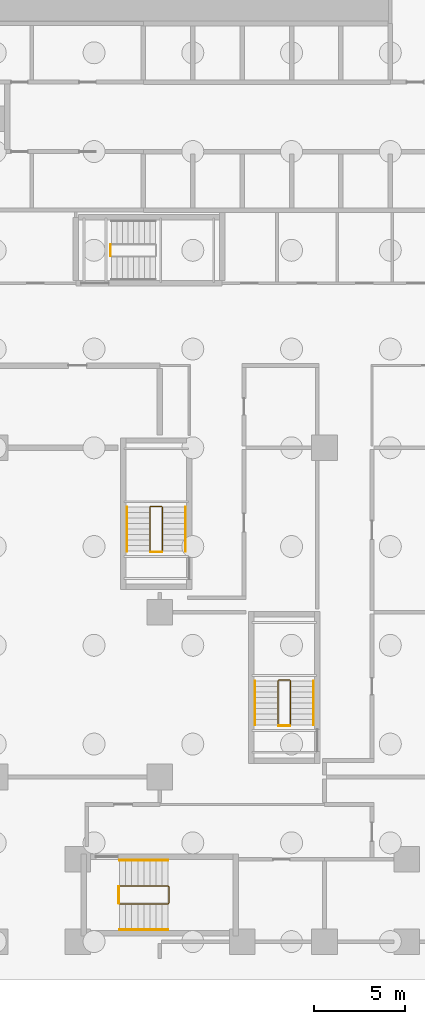
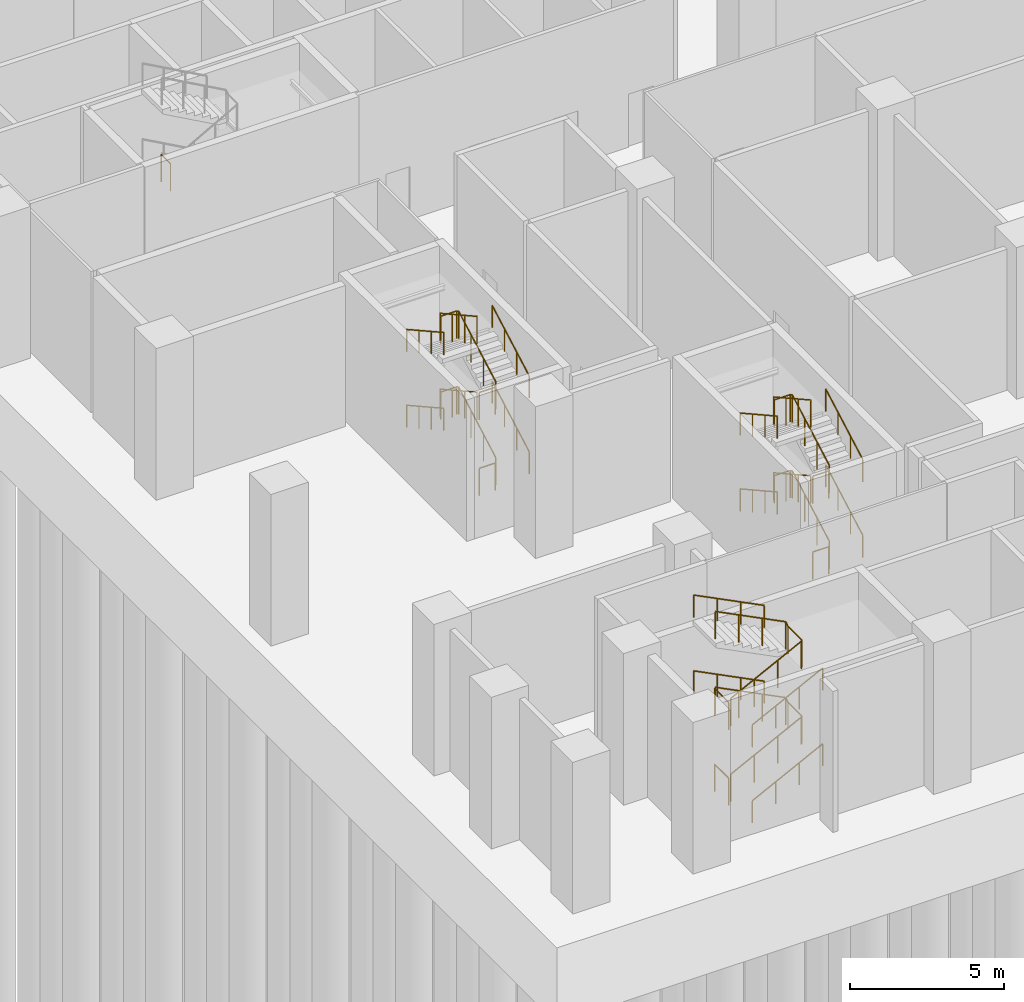
# One storey, part 10 of 12: 25 railings.
"""IFC4 building model written with IfcOpenShell, lengths in metres."""

from ifc_helpers import new_model, si_unit, direction, frame, origin, origin_2d, place, context, subcontext, project, spatial, circle, extrude, material, type_object, element, save


model = new_model("IFC4")

# Units and contexts
model_context = context("Model", 3, precision=1e-05, world=origin(), true_north=direction((0.0, 1.0)))
body_context = subcontext(model_context, "Body", "Model", "MODEL_VIEW")
ifc_project = project(units=[si_unit("LENGTHUNIT", "METRE"), si_unit("AREAUNIT", "SQUARE_METRE"), si_unit("VOLUMEUNIT", "CUBIC_METRE"), si_unit("PLANEANGLEUNIT", "RADIAN"), si_unit("MASSUNIT", "GRAM", prefix="KILO")], contexts=[model_context])

# Site, building, storey
site_placement = place(None, origin())
site = spatial("IfcSite", under=ifc_project, at=site_placement, CompositionType="ELEMENT")
building_placement = place(site_placement, origin())
building = spatial("IfcBuilding", under=site, at=building_placement, Name="Brondeck Convention Tower", CompositionType="ELEMENT")
storey_placement = place(building_placement, frame((0.0, 0.0, -6.0)))
storey = spatial("IfcBuildingStorey", under=building, at=storey_placement, Name="B1", CompositionType="ELEMENT", Elevation=-6.0)

# Railings
ifc_material = material(Name="Steel S355", Category="steel")
railing_type_1 = type_object("IfcRailingType", Name="Stair guard 1100", PredefinedType="GUARDRAIL", material=ifc_material)
railing_1_placement = place(storey_placement, frame((6.300048828125, 37.5, 3.0)))
element("IfcRailing", 1, at=railing_1_placement, inside=storey, type_object=railing_type_1, Name="B1 ST-1 stair guard 2", PredefinedType="GUARDRAIL", context=body_context, shape_type="SweptSolid", body=[
    extrude(circle(Radius=0.02392578125, at=origin_2d()), frame((0.0, 0.0, 1.076171875), z_axis=(0.0, 1.0, 0.0), x_axis=(-1.0, 0.0, 0.0)), (0.0, 0.0, 1.0), 0.60009765625),
    extrude(circle(Radius=0.02099609375, at=origin_2d()), origin(), (0.0, 0.0, 1.0), 1.052001953125),
    extrude(circle(Radius=0.02099609375, at=origin_2d()), frame((0.0, 0.60009765625, 0.0)), (0.0, 0.0, 1.0), 1.052001953125),
])
railing_2_placement = place(storey_placement, frame((9.14990234375, 21.35009765625, 0.166748046875)))
element("IfcRailing", 2, at=railing_2_placement, inside=storey, type_object=railing_type_1, Name="B1 ST-BE stair guard 1", PredefinedType="GUARDRAIL", context=body_context, shape_type="SweptSolid", body=[
    extrude(circle(Radius=0.02392578125, at=origin_2d()), frame((0.0, 0.0, 1.076171875), z_axis=(0.0, 0.874161470802, 0.485635380677), x_axis=(-1.0, 0.0, 0.0)), (0.0, 0.0, 1.0), 2.745361328125),
    extrude(circle(Radius=0.02392578125, at=origin_2d()), frame((0.0, 2.39990234375, 2.4091796875), z_axis=(-0.705375805398, 0.708833529934, 0.0), x_axis=(-0.708833529934, -0.705375805398, 0.0)), (0.0, 0.0, 1.0), 0.070556640625),
    extrude(circle(Radius=0.02392578125, at=origin_2d()), frame((-0.0498046875, 2.449951171875, 2.4091796875), z_axis=(-1.0, 0.0, 0.0), x_axis=(0.0, -1.0, 0.0)), (0.0, 0.0, 1.0), 0.60009765625),
    extrude(circle(Radius=0.02392578125, at=origin_2d()), frame((-0.64990234375, 2.449951171875, 2.4091796875), z_axis=(-0.27628659633, -0.27628659633, 0.920506074601), x_axis=(0.707106781187, -0.707106781187, 0.0)), (0.0, 0.0, 1.0), 0.18115234375),
    extrude(circle(Radius=0.02392578125, at=origin_2d()), frame((-0.699951171875, 2.39990234375, 2.576171875), z_axis=(0.0, -0.874161470802, 0.485635380677), x_axis=(1.0, 0.0, 0.0)), (0.0, 0.0, 1.0), 2.745361328125),
    extrude(circle(Radius=0.02099609375, at=origin_2d()), origin(), (0.0, 0.0, 1.0), 1.052001953125),
    extrude(circle(Radius=0.02099609375, at=origin_2d()), frame((0.0, 0.800048828125, 0.4443359375)), (0.0, 0.0, 1.0), 1.052001953125),
    extrude(circle(Radius=0.02099609375, at=origin_2d()), frame((0.0, 1.599853515625, 0.888916015625)), (0.0, 0.0, 1.0), 1.052001953125),
    extrude(circle(Radius=0.02099609375, at=origin_2d()), frame((0.0, 2.39990234375, 1.333251953125)), (0.0, 0.0, 1.0), 1.052001953125),
    extrude(circle(Radius=0.02099609375, at=origin_2d()), frame((-0.0498046875, 2.449951171875, 1.333251953125)), (0.0, 0.0, 1.0), 1.052001953125),
    extrude(circle(Radius=0.02099609375, at=origin_2d()), frame((-0.64990234375, 2.449951171875, 1.333251953125)), (0.0, 0.0, 1.0), 1.052001953125),
    extrude(circle(Radius=0.02099609375, at=origin_2d()), frame((-0.699951171875, 2.39990234375, 1.5)), (0.0, 0.0, 1.0), 1.052001953125),
    extrude(circle(Radius=0.02099609375, at=origin_2d()), frame((-0.699951171875, 1.599853515625, 1.9443359375)), (0.0, 0.0, 1.0), 1.052001953125),
    extrude(circle(Radius=0.02099609375, at=origin_2d()), frame((-0.699951171875, 0.800048828125, 2.388916015625)), (0.0, 0.0, 1.0), 1.052001953125),
    extrude(circle(Radius=0.02099609375, at=origin_2d()), frame((-0.699951171875, 0.0, 2.833251953125)), (0.0, 0.0, 1.0), 1.052001953125),
])
railing_3_placement = place(storey_placement, frame((9.10009765625, 21.300048828125, 3.0)))
element("IfcRailing", 3, at=railing_3_placement, inside=storey, type_object=railing_type_1, Name="B1 ST-BE stair guard 2", PredefinedType="GUARDRAIL", context=body_context, shape_type="SweptSolid", body=[
    extrude(circle(Radius=0.02392578125, at=origin_2d()), frame((0.0, 0.0, 1.076171875), z_axis=(-1.0, 0.0, 0.0), x_axis=(0.0, -1.0, 0.0)), (0.0, 0.0, 1.0), 0.60009765625),
    extrude(circle(Radius=0.02099609375, at=origin_2d()), origin(), (0.0, 0.0, 1.0), 1.052001953125),
    extrude(circle(Radius=0.02099609375, at=origin_2d()), frame((-0.60009765625, 0.0, 0.0)), (0.0, 0.0, 1.0), 1.052001953125),
])
railing_4_placement = place(storey_placement, frame((9.14990234375, 21.35009765625, 3.166748046875)))
element("IfcRailing", 4, at=railing_4_placement, inside=storey, type_object=railing_type_1, Name="B1 ST-BE stair guard 3", PredefinedType="GUARDRAIL", context=body_context, shape_type="SweptSolid", body=[
    extrude(circle(Radius=0.02392578125, at=origin_2d()), frame((0.0, 0.0, 1.076171875), z_axis=(0.0, 0.874161470802, 0.485635380677), x_axis=(-1.0, 0.0, 0.0)), (0.0, 0.0, 1.0), 2.745361328125),
    extrude(circle(Radius=0.02392578125, at=origin_2d()), frame((0.0, 2.39990234375, 2.4091796875), z_axis=(-0.705375805398, 0.708833529934, 0.0), x_axis=(-0.708833529934, -0.705375805398, 0.0)), (0.0, 0.0, 1.0), 0.070556640625),
    extrude(circle(Radius=0.02392578125, at=origin_2d()), frame((-0.0498046875, 2.449951171875, 2.4091796875), z_axis=(-1.0, 0.0, 0.0), x_axis=(0.0, -1.0, 0.0)), (0.0, 0.0, 1.0), 0.60009765625),
    extrude(circle(Radius=0.02392578125, at=origin_2d()), frame((-0.64990234375, 2.449951171875, 2.4091796875), z_axis=(-0.27628659633, -0.27628659633, 0.920506074601), x_axis=(0.707106781187, -0.707106781187, 0.0)), (0.0, 0.0, 1.0), 0.18115234375),
    extrude(circle(Radius=0.02392578125, at=origin_2d()), frame((-0.699951171875, 2.39990234375, 2.576171875), z_axis=(0.0, -0.874161470802, 0.485635380677), x_axis=(1.0, 0.0, 0.0)), (0.0, 0.0, 1.0), 2.745361328125),
    extrude(circle(Radius=0.02099609375, at=origin_2d()), origin(), (0.0, 0.0, 1.0), 1.052001953125),
    extrude(circle(Radius=0.02099609375, at=origin_2d()), frame((0.0, 0.800048828125, 0.4443359375)), (0.0, 0.0, 1.0), 1.052001953125),
    extrude(circle(Radius=0.02099609375, at=origin_2d()), frame((0.0, 1.599853515625, 0.888916015625)), (0.0, 0.0, 1.0), 1.052001953125),
    extrude(circle(Radius=0.02099609375, at=origin_2d()), frame((0.0, 2.39990234375, 1.333251953125)), (0.0, 0.0, 1.0), 1.052001953125),
    extrude(circle(Radius=0.02099609375, at=origin_2d()), frame((-0.0498046875, 2.449951171875, 1.333251953125)), (0.0, 0.0, 1.0), 1.052001953125),
    extrude(circle(Radius=0.02099609375, at=origin_2d()), frame((-0.64990234375, 2.449951171875, 1.333251953125)), (0.0, 0.0, 1.0), 1.052001953125),
    extrude(circle(Radius=0.02099609375, at=origin_2d()), frame((-0.699951171875, 2.39990234375, 1.5)), (0.0, 0.0, 1.0), 1.052001953125),
    extrude(circle(Radius=0.02099609375, at=origin_2d()), frame((-0.699951171875, 1.599853515625, 1.9443359375)), (0.0, 0.0, 1.0), 1.052001953125),
    extrude(circle(Radius=0.02099609375, at=origin_2d()), frame((-0.699951171875, 0.800048828125, 2.388916015625)), (0.0, 0.0, 1.0), 1.052001953125),
    extrude(circle(Radius=0.02099609375, at=origin_2d()), frame((-0.699951171875, 0.0, 2.833251953125)), (0.0, 0.0, 1.0), 1.052001953125),
])
railing_5_placement = place(storey_placement, frame((9.10009765625, 21.300048828125, 0.0)))
element("IfcRailing", 5, at=railing_5_placement, inside=storey, type_object=railing_type_1, Name="B1 ST-BE stair guard 4", PredefinedType="GUARDRAIL", context=body_context, shape_type="SweptSolid", body=[
    extrude(circle(Radius=0.02392578125, at=origin_2d()), frame((0.0, 0.0, 1.076171875), z_axis=(-1.0, 0.0, 0.0), x_axis=(0.0, -1.0, 0.0)), (0.0, 0.0, 1.0), 0.60009765625),
    extrude(circle(Radius=0.02099609375, at=origin_2d()), origin(), (0.0, 0.0, 1.0), 1.052001953125),
    extrude(circle(Radius=0.02099609375, at=origin_2d()), frame((-0.60009765625, 0.0, 0.0)), (0.0, 0.0, 1.0), 1.052001953125),
])
railing_6_placement = place(storey_placement, frame((16.14990234375, 11.85009765625, 0.166748046875)))
element("IfcRailing", 6, at=railing_6_placement, inside=storey, type_object=railing_type_1, Name="B1 ST-BF stair guard 1", PredefinedType="GUARDRAIL", context=body_context, shape_type="SweptSolid", body=[
    extrude(circle(Radius=0.02392578125, at=origin_2d()), frame((0.0, 0.0, 1.076171875), z_axis=(0.0, 0.874161470802, 0.485635380677), x_axis=(-1.0, 0.0, 0.0)), (0.0, 0.0, 1.0), 2.745361328125),
    extrude(circle(Radius=0.02392578125, at=origin_2d()), frame((0.0, 2.39990234375, 2.4091796875), z_axis=(-0.705375805398, 0.708833529934, 0.0), x_axis=(-0.708833529934, -0.705375805398, 0.0)), (0.0, 0.0, 1.0), 0.070556640625),
    extrude(circle(Radius=0.02392578125, at=origin_2d()), frame((-0.0498046875, 2.449951171875, 2.4091796875), z_axis=(-1.0, 0.0, 0.0), x_axis=(0.0, -1.0, 0.0)), (0.0, 0.0, 1.0), 0.60009765625),
    extrude(circle(Radius=0.02392578125, at=origin_2d()), frame((-0.64990234375, 2.449951171875, 2.4091796875), z_axis=(-0.27628659633, -0.27628659633, 0.920506074601), x_axis=(0.707106781187, -0.707106781187, 0.0)), (0.0, 0.0, 1.0), 0.18115234375),
    extrude(circle(Radius=0.02392578125, at=origin_2d()), frame((-0.699951171875, 2.39990234375, 2.576171875), z_axis=(0.0, -0.874161470802, 0.485635380677), x_axis=(1.0, 0.0, 0.0)), (0.0, 0.0, 1.0), 2.745361328125),
    extrude(circle(Radius=0.02099609375, at=origin_2d()), origin(), (0.0, 0.0, 1.0), 1.052001953125),
    extrude(circle(Radius=0.02099609375, at=origin_2d()), frame((0.0, 0.800048828125, 0.4443359375)), (0.0, 0.0, 1.0), 1.052001953125),
    extrude(circle(Radius=0.02099609375, at=origin_2d()), frame((0.0, 1.599853515625, 0.888916015625)), (0.0, 0.0, 1.0), 1.052001953125),
    extrude(circle(Radius=0.02099609375, at=origin_2d()), frame((0.0, 2.39990234375, 1.333251953125)), (0.0, 0.0, 1.0), 1.052001953125),
    extrude(circle(Radius=0.02099609375, at=origin_2d()), frame((-0.0498046875, 2.449951171875, 1.333251953125)), (0.0, 0.0, 1.0), 1.052001953125),
    extrude(circle(Radius=0.02099609375, at=origin_2d()), frame((-0.64990234375, 2.449951171875, 1.333251953125)), (0.0, 0.0, 1.0), 1.052001953125),
    extrude(circle(Radius=0.02099609375, at=origin_2d()), frame((-0.699951171875, 2.39990234375, 1.5)), (0.0, 0.0, 1.0), 1.052001953125),
    extrude(circle(Radius=0.02099609375, at=origin_2d()), frame((-0.699951171875, 1.599853515625, 1.9443359375)), (0.0, 0.0, 1.0), 1.052001953125),
    extrude(circle(Radius=0.02099609375, at=origin_2d()), frame((-0.699951171875, 0.800048828125, 2.388916015625)), (0.0, 0.0, 1.0), 1.052001953125),
    extrude(circle(Radius=0.02099609375, at=origin_2d()), frame((-0.699951171875, 0.0, 2.833251953125)), (0.0, 0.0, 1.0), 1.052001953125),
])
railing_7_placement = place(storey_placement, frame((16.10009765625, 11.800048828125, 3.0)))
element("IfcRailing", 7, at=railing_7_placement, inside=storey, type_object=railing_type_1, Name="B1 ST-BF stair guard 2", PredefinedType="GUARDRAIL", context=body_context, shape_type="SweptSolid", body=[
    extrude(circle(Radius=0.02392578125, at=origin_2d()), frame((0.0, 0.0, 1.076171875), z_axis=(-1.0, 0.0, 0.0), x_axis=(0.0, -1.0, 0.0)), (0.0, 0.0, 1.0), 0.60009765625),
    extrude(circle(Radius=0.02099609375, at=origin_2d()), origin(), (0.0, 0.0, 1.0), 1.052001953125),
    extrude(circle(Radius=0.02099609375, at=origin_2d()), frame((-0.60009765625, 0.0, 0.0)), (0.0, 0.0, 1.0), 1.052001953125),
])
railing_8_placement = place(storey_placement, frame((16.14990234375, 11.85009765625, 3.166748046875)))
element("IfcRailing", 8, at=railing_8_placement, inside=storey, type_object=railing_type_1, Name="B1 ST-BF stair guard 3", PredefinedType="GUARDRAIL", context=body_context, shape_type="SweptSolid", body=[
    extrude(circle(Radius=0.02392578125, at=origin_2d()), frame((0.0, 0.0, 1.076171875), z_axis=(0.0, 0.874161470802, 0.485635380677), x_axis=(-1.0, 0.0, 0.0)), (0.0, 0.0, 1.0), 2.745361328125),
    extrude(circle(Radius=0.02392578125, at=origin_2d()), frame((0.0, 2.39990234375, 2.4091796875), z_axis=(-0.705375805398, 0.708833529934, 0.0), x_axis=(-0.708833529934, -0.705375805398, 0.0)), (0.0, 0.0, 1.0), 0.070556640625),
    extrude(circle(Radius=0.02392578125, at=origin_2d()), frame((-0.0498046875, 2.449951171875, 2.4091796875), z_axis=(-1.0, 0.0, 0.0), x_axis=(0.0, -1.0, 0.0)), (0.0, 0.0, 1.0), 0.60009765625),
    extrude(circle(Radius=0.02392578125, at=origin_2d()), frame((-0.64990234375, 2.449951171875, 2.4091796875), z_axis=(-0.27628659633, -0.27628659633, 0.920506074601), x_axis=(0.707106781187, -0.707106781187, 0.0)), (0.0, 0.0, 1.0), 0.18115234375),
    extrude(circle(Radius=0.02392578125, at=origin_2d()), frame((-0.699951171875, 2.39990234375, 2.576171875), z_axis=(0.0, -0.874161470802, 0.485635380677), x_axis=(1.0, 0.0, 0.0)), (0.0, 0.0, 1.0), 2.745361328125),
    extrude(circle(Radius=0.02099609375, at=origin_2d()), origin(), (0.0, 0.0, 1.0), 1.052001953125),
    extrude(circle(Radius=0.02099609375, at=origin_2d()), frame((0.0, 0.800048828125, 0.4443359375)), (0.0, 0.0, 1.0), 1.052001953125),
    extrude(circle(Radius=0.02099609375, at=origin_2d()), frame((0.0, 1.599853515625, 0.888916015625)), (0.0, 0.0, 1.0), 1.052001953125),
    extrude(circle(Radius=0.02099609375, at=origin_2d()), frame((0.0, 2.39990234375, 1.333251953125)), (0.0, 0.0, 1.0), 1.052001953125),
    extrude(circle(Radius=0.02099609375, at=origin_2d()), frame((-0.0498046875, 2.449951171875, 1.333251953125)), (0.0, 0.0, 1.0), 1.052001953125),
    extrude(circle(Radius=0.02099609375, at=origin_2d()), frame((-0.64990234375, 2.449951171875, 1.333251953125)), (0.0, 0.0, 1.0), 1.052001953125),
    extrude(circle(Radius=0.02099609375, at=origin_2d()), frame((-0.699951171875, 2.39990234375, 1.5)), (0.0, 0.0, 1.0), 1.052001953125),
    extrude(circle(Radius=0.02099609375, at=origin_2d()), frame((-0.699951171875, 1.599853515625, 1.9443359375)), (0.0, 0.0, 1.0), 1.052001953125),
    extrude(circle(Radius=0.02099609375, at=origin_2d()), frame((-0.699951171875, 0.800048828125, 2.388916015625)), (0.0, 0.0, 1.0), 1.052001953125),
    extrude(circle(Radius=0.02099609375, at=origin_2d()), frame((-0.699951171875, 0.0, 2.833251953125)), (0.0, 0.0, 1.0), 1.052001953125),
])
railing_9_placement = place(storey_placement, frame((16.10009765625, 11.800048828125, 0.0)))
element("IfcRailing", 9, at=railing_9_placement, inside=storey, type_object=railing_type_1, Name="B1 ST-BF stair guard 4", PredefinedType="GUARDRAIL", context=body_context, shape_type="SweptSolid", body=[
    extrude(circle(Radius=0.02392578125, at=origin_2d()), frame((0.0, 0.0, 1.076171875), z_axis=(-1.0, 0.0, 0.0), x_axis=(0.0, -1.0, 0.0)), (0.0, 0.0, 1.0), 0.60009765625),
    extrude(circle(Radius=0.02099609375, at=origin_2d()), origin(), (0.0, 0.0, 1.0), 1.052001953125),
    extrude(circle(Radius=0.02099609375, at=origin_2d()), frame((-0.60009765625, 0.0, 0.0)), (0.0, 0.0, 1.0), 1.052001953125),
])
railing_10_placement = place(storey_placement, frame((6.800048828125, 2.050048828125, 0.166748046875)))
element("IfcRailing", 10, at=railing_10_placement, inside=storey, type_object=railing_type_1, Name="B1 PS-2 stair guard 1", PredefinedType="GUARDRAIL", context=body_context, shape_type="SweptSolid", body=[
    extrude(circle(Radius=0.02392578125, at=origin_2d()), frame((0.0, 0.0, 1.076171875), z_axis=(0.892620344788, 0.0, 0.450809183658), x_axis=(0.0, 1.0, 0.0)), (0.0, 0.0, 1.0), 2.95751953125),
    extrude(circle(Radius=0.02392578125, at=origin_2d()), frame((2.639892578125, 0.0, 2.4091796875), z_axis=(0.707106781187, 0.707106781187, 0.0), x_axis=(-0.707106781187, 0.707106781187, 0.0)), (0.0, 0.0, 1.0), 0.07080078125),
    extrude(circle(Radius=0.02392578125, at=origin_2d()), frame((2.68994140625, 0.050048828125, 2.4091796875), z_axis=(0.0, 1.0, 0.0), x_axis=(-1.0, 0.0, 0.0)), (0.0, 0.0, 1.0), 0.89990234375),
    extrude(circle(Radius=0.02392578125, at=origin_2d()), frame((2.68994140625, 0.949951171875, 2.4091796875), z_axis=(-0.27628659633, 0.27628659633, 0.920506074601), x_axis=(-0.707106781187, -0.707106781187, 0.0)), (0.0, 0.0, 1.0), 0.18115234375),
    extrude(circle(Radius=0.02392578125, at=origin_2d()), frame((2.639892578125, 1.0, 2.576171875), z_axis=(-0.892620344788, 0.0, 0.450809183658), x_axis=(0.0, -1.0, 0.0)), (0.0, 0.0, 1.0), 2.95751953125),
    extrude(circle(Radius=0.02099609375, at=origin_2d()), origin(), (0.0, 0.0, 1.0), 1.052001953125),
    extrude(circle(Radius=0.02099609375, at=origin_2d()), frame((0.8798828125, 0.0, 0.4443359375)), (0.0, 0.0, 1.0), 1.052001953125),
    extrude(circle(Radius=0.02099609375, at=origin_2d()), frame((1.760009765625, 0.0, 0.888916015625)), (0.0, 0.0, 1.0), 1.052001953125),
    extrude(circle(Radius=0.02099609375, at=origin_2d()), frame((2.639892578125, 0.0, 1.333251953125)), (0.0, 0.0, 1.0), 1.052001953125),
    extrude(circle(Radius=0.02099609375, at=origin_2d()), frame((2.68994140625, 0.050048828125, 1.333251953125)), (0.0, 0.0, 1.0), 1.052001953125),
    extrude(circle(Radius=0.02099609375, at=origin_2d()), frame((2.68994140625, 0.949951171875, 1.333251953125)), (0.0, 0.0, 1.0), 1.052001953125),
    extrude(circle(Radius=0.02099609375, at=origin_2d()), frame((2.639892578125, 1.0, 1.5)), (0.0, 0.0, 1.0), 1.052001953125),
    extrude(circle(Radius=0.02099609375, at=origin_2d()), frame((1.760009765625, 1.0, 1.9443359375)), (0.0, 0.0, 1.0), 1.052001953125),
    extrude(circle(Radius=0.02099609375, at=origin_2d()), frame((0.8798828125, 1.0, 2.388916015625)), (0.0, 0.0, 1.0), 1.052001953125),
    extrude(circle(Radius=0.02099609375, at=origin_2d()), frame((0.0, 1.0, 2.833251953125)), (0.0, 0.0, 1.0), 1.052001953125),
])
railing_11_placement = place(storey_placement, frame((6.75, 2.10009765625, 3.0)))
element("IfcRailing", 11, at=railing_11_placement, inside=storey, type_object=railing_type_1, Name="B1 PS-2 stair guard 2", PredefinedType="GUARDRAIL", context=body_context, shape_type="SweptSolid", body=[
    extrude(circle(Radius=0.02392578125, at=origin_2d()), frame((0.0, 0.0, 1.076171875), z_axis=(0.0, 1.0, 0.0), x_axis=(-1.0, 0.0, 0.0)), (0.0, 0.0, 1.0), 0.89990234375),
    extrude(circle(Radius=0.02099609375, at=origin_2d()), origin(), (0.0, 0.0, 1.0), 1.052001953125),
    extrude(circle(Radius=0.02099609375, at=origin_2d()), frame((0.0, 0.89990234375, 0.0)), (0.0, 0.0, 1.0), 1.052001953125),
])
railing_12_placement = place(storey_placement, frame((6.800048828125, 2.050048828125, 3.166748046875)))
element("IfcRailing", 12, at=railing_12_placement, inside=storey, type_object=railing_type_1, Name="B1 PS-2 stair guard 3", PredefinedType="GUARDRAIL", context=body_context, shape_type="SweptSolid", body=[
    extrude(circle(Radius=0.02392578125, at=origin_2d()), frame((0.0, 0.0, 1.076171875), z_axis=(0.892620344788, 0.0, 0.450809183658), x_axis=(0.0, 1.0, 0.0)), (0.0, 0.0, 1.0), 2.95751953125),
    extrude(circle(Radius=0.02392578125, at=origin_2d()), frame((2.639892578125, 0.0, 2.4091796875), z_axis=(0.707106781187, 0.707106781187, 0.0), x_axis=(-0.707106781187, 0.707106781187, 0.0)), (0.0, 0.0, 1.0), 0.07080078125),
    extrude(circle(Radius=0.02392578125, at=origin_2d()), frame((2.68994140625, 0.050048828125, 2.4091796875), z_axis=(0.0, 1.0, 0.0), x_axis=(-1.0, 0.0, 0.0)), (0.0, 0.0, 1.0), 0.89990234375),
    extrude(circle(Radius=0.02392578125, at=origin_2d()), frame((2.68994140625, 0.949951171875, 2.4091796875), z_axis=(-0.27628659633, 0.27628659633, 0.920506074601), x_axis=(-0.707106781187, -0.707106781187, 0.0)), (0.0, 0.0, 1.0), 0.18115234375),
    extrude(circle(Radius=0.02392578125, at=origin_2d()), frame((2.639892578125, 1.0, 2.576171875), z_axis=(-0.892620344788, 0.0, 0.450809183658), x_axis=(0.0, -1.0, 0.0)), (0.0, 0.0, 1.0), 2.95751953125),
    extrude(circle(Radius=0.02099609375, at=origin_2d()), origin(), (0.0, 0.0, 1.0), 1.052001953125),
    extrude(circle(Radius=0.02099609375, at=origin_2d()), frame((0.8798828125, 0.0, 0.4443359375)), (0.0, 0.0, 1.0), 1.052001953125),
    extrude(circle(Radius=0.02099609375, at=origin_2d()), frame((1.760009765625, 0.0, 0.888916015625)), (0.0, 0.0, 1.0), 1.052001953125),
    extrude(circle(Radius=0.02099609375, at=origin_2d()), frame((2.639892578125, 0.0, 1.333251953125)), (0.0, 0.0, 1.0), 1.052001953125),
    extrude(circle(Radius=0.02099609375, at=origin_2d()), frame((2.68994140625, 0.050048828125, 1.333251953125)), (0.0, 0.0, 1.0), 1.052001953125),
    extrude(circle(Radius=0.02099609375, at=origin_2d()), frame((2.68994140625, 0.949951171875, 1.333251953125)), (0.0, 0.0, 1.0), 1.052001953125),
    extrude(circle(Radius=0.02099609375, at=origin_2d()), frame((2.639892578125, 1.0, 1.5)), (0.0, 0.0, 1.0), 1.052001953125),
    extrude(circle(Radius=0.02099609375, at=origin_2d()), frame((1.760009765625, 1.0, 1.9443359375)), (0.0, 0.0, 1.0), 1.052001953125),
    extrude(circle(Radius=0.02099609375, at=origin_2d()), frame((0.8798828125, 1.0, 2.388916015625)), (0.0, 0.0, 1.0), 1.052001953125),
    extrude(circle(Radius=0.02099609375, at=origin_2d()), frame((0.0, 1.0, 2.833251953125)), (0.0, 0.0, 1.0), 1.052001953125),
])
railing_13_placement = place(storey_placement, frame((6.75, 2.10009765625, 0.0)))
element("IfcRailing", 13, at=railing_13_placement, inside=storey, type_object=railing_type_1, Name="B1 PS-2 stair guard 4", PredefinedType="GUARDRAIL", context=body_context, shape_type="SweptSolid", body=[
    extrude(circle(Radius=0.02392578125, at=origin_2d()), frame((0.0, 0.0, 1.076171875), z_axis=(0.0, 1.0, 0.0), x_axis=(-1.0, 0.0, 0.0)), (0.0, 0.0, 1.0), 0.89990234375),
    extrude(circle(Radius=0.02099609375, at=origin_2d()), origin(), (0.0, 0.0, 1.0), 1.052001953125),
    extrude(circle(Radius=0.02099609375, at=origin_2d()), frame((0.0, 0.89990234375, 0.0)), (0.0, 0.0, 1.0), 1.052001953125),
])
railing_type_2 = type_object("IfcRailingType", Name="Stair handrail", PredefinedType="HANDRAIL", material=ifc_material)
railing_14_placement = place(storey_placement, frame((10.39990234375, 21.35009765625, 0.166748046875)))
element("IfcRailing", 14, at=railing_14_placement, inside=storey, type_object=railing_type_2, Name="B1 ST-BE stair handrail 1", PredefinedType="HANDRAIL", context=body_context, shape_type="SweptSolid", body=[
    extrude(circle(Radius=0.02392578125, at=origin_2d()), frame((0.0, 0.0, 0.8759765625), z_axis=(0.0, 0.874161470802, 0.485635380677), x_axis=(-1.0, 0.0, 0.0)), (0.0, 0.0, 1.0), 2.745361328125),
    extrude(circle(Radius=0.02099609375, at=origin_2d()), origin(), (0.0, 0.0, 1.0), 0.851806640625),
    extrude(circle(Radius=0.02099609375, at=origin_2d()), frame((0.0, 0.800048828125, 0.4443359375)), (0.0, 0.0, 1.0), 0.851806640625),
    extrude(circle(Radius=0.02099609375, at=origin_2d()), frame((0.0, 1.599853515625, 0.888916015625)), (0.0, 0.0, 1.0), 0.851806640625),
    extrude(circle(Radius=0.02099609375, at=origin_2d()), frame((0.0, 2.39990234375, 1.333251953125)), (0.0, 0.0, 1.0), 0.851806640625),
])
railing_15_placement = place(storey_placement, frame((7.199951171875, 23.75, 1.666748046875)))
element("IfcRailing", 15, at=railing_15_placement, inside=storey, type_object=railing_type_2, Name="B1 ST-BE stair handrail 2", PredefinedType="HANDRAIL", context=body_context, shape_type="SweptSolid", body=[
    extrude(circle(Radius=0.02392578125, at=origin_2d()), frame((0.0, 0.0, 0.8759765625), z_axis=(0.0, -0.874161470802, 0.485635380677), x_axis=(1.0, 0.0, 0.0)), (0.0, 0.0, 1.0), 2.745361328125),
    extrude(circle(Radius=0.02099609375, at=origin_2d()), origin(), (0.0, 0.0, 1.0), 0.851806640625),
    extrude(circle(Radius=0.02099609375, at=origin_2d()), frame((0.0, -0.800048828125, 0.4443359375)), (0.0, 0.0, 1.0), 0.851806640625),
    extrude(circle(Radius=0.02099609375, at=origin_2d()), frame((0.0, -1.599853515625, 0.888916015625)), (0.0, 0.0, 1.0), 0.851806640625),
    extrude(circle(Radius=0.02099609375, at=origin_2d()), frame((0.0, -2.39990234375, 1.333251953125)), (0.0, 0.0, 1.0), 0.851806640625),
])
railing_16_placement = place(storey_placement, frame((10.39990234375, 21.35009765625, 3.166748046875)))
element("IfcRailing", 16, at=railing_16_placement, inside=storey, type_object=railing_type_2, Name="B1 ST-BE stair handrail 3", PredefinedType="HANDRAIL", context=body_context, shape_type="SweptSolid", body=[
    extrude(circle(Radius=0.02392578125, at=origin_2d()), frame((0.0, 0.0, 0.8759765625), z_axis=(0.0, 0.874161470802, 0.485635380677), x_axis=(-1.0, 0.0, 0.0)), (0.0, 0.0, 1.0), 2.745361328125),
    extrude(circle(Radius=0.02099609375, at=origin_2d()), origin(), (0.0, 0.0, 1.0), 0.851806640625),
    extrude(circle(Radius=0.02099609375, at=origin_2d()), frame((0.0, 0.800048828125, 0.4443359375)), (0.0, 0.0, 1.0), 0.851806640625),
    extrude(circle(Radius=0.02099609375, at=origin_2d()), frame((0.0, 1.599853515625, 0.888916015625)), (0.0, 0.0, 1.0), 0.851806640625),
    extrude(circle(Radius=0.02099609375, at=origin_2d()), frame((0.0, 2.39990234375, 1.333251953125)), (0.0, 0.0, 1.0), 0.851806640625),
])
railing_17_placement = place(storey_placement, frame((7.199951171875, 23.75, 4.666748046875)))
element("IfcRailing", 17, at=railing_17_placement, inside=storey, type_object=railing_type_2, Name="B1 ST-BE stair handrail 4", PredefinedType="HANDRAIL", context=body_context, shape_type="SweptSolid", body=[
    extrude(circle(Radius=0.02392578125, at=origin_2d()), frame((0.0, 0.0, 0.8759765625), z_axis=(0.0, -0.874161470802, 0.485635380677), x_axis=(1.0, 0.0, 0.0)), (0.0, 0.0, 1.0), 2.745361328125),
    extrude(circle(Radius=0.02099609375, at=origin_2d()), origin(), (0.0, 0.0, 1.0), 0.851806640625),
    extrude(circle(Radius=0.02099609375, at=origin_2d()), frame((0.0, -0.800048828125, 0.4443359375)), (0.0, 0.0, 1.0), 0.851806640625),
    extrude(circle(Radius=0.02099609375, at=origin_2d()), frame((0.0, -1.599853515625, 0.888916015625)), (0.0, 0.0, 1.0), 0.851806640625),
    extrude(circle(Radius=0.02099609375, at=origin_2d()), frame((0.0, -2.39990234375, 1.333251953125)), (0.0, 0.0, 1.0), 0.851806640625),
])
railing_18_placement = place(storey_placement, frame((17.39990234375, 11.85009765625, 0.166748046875)))
element("IfcRailing", 18, at=railing_18_placement, inside=storey, type_object=railing_type_2, Name="B1 ST-BF stair handrail 1", PredefinedType="HANDRAIL", context=body_context, shape_type="SweptSolid", body=[
    extrude(circle(Radius=0.02392578125, at=origin_2d()), frame((0.0, 0.0, 0.8759765625), z_axis=(0.0, 0.874161470802, 0.485635380677), x_axis=(-1.0, 0.0, 0.0)), (0.0, 0.0, 1.0), 2.745361328125),
    extrude(circle(Radius=0.02099609375, at=origin_2d()), origin(), (0.0, 0.0, 1.0), 0.851806640625),
    extrude(circle(Radius=0.02099609375, at=origin_2d()), frame((0.0, 0.800048828125, 0.4443359375)), (0.0, 0.0, 1.0), 0.851806640625),
    extrude(circle(Radius=0.02099609375, at=origin_2d()), frame((0.0, 1.599853515625, 0.888916015625)), (0.0, 0.0, 1.0), 0.851806640625),
    extrude(circle(Radius=0.02099609375, at=origin_2d()), frame((0.0, 2.39990234375, 1.333251953125)), (0.0, 0.0, 1.0), 0.851806640625),
])
railing_19_placement = place(storey_placement, frame((14.199951171875, 14.25, 1.666748046875)))
element("IfcRailing", 19, at=railing_19_placement, inside=storey, type_object=railing_type_2, Name="B1 ST-BF stair handrail 2", PredefinedType="HANDRAIL", context=body_context, shape_type="SweptSolid", body=[
    extrude(circle(Radius=0.02392578125, at=origin_2d()), frame((0.0, 0.0, 0.8759765625), z_axis=(0.0, -0.874161470802, 0.485635380677), x_axis=(1.0, 0.0, 0.0)), (0.0, 0.0, 1.0), 2.745361328125),
    extrude(circle(Radius=0.02099609375, at=origin_2d()), origin(), (0.0, 0.0, 1.0), 0.851806640625),
    extrude(circle(Radius=0.02099609375, at=origin_2d()), frame((0.0, -0.800048828125, 0.4443359375)), (0.0, 0.0, 1.0), 0.851806640625),
    extrude(circle(Radius=0.02099609375, at=origin_2d()), frame((0.0, -1.599853515625, 0.888916015625)), (0.0, 0.0, 1.0), 0.851806640625),
    extrude(circle(Radius=0.02099609375, at=origin_2d()), frame((0.0, -2.39990234375, 1.333251953125)), (0.0, 0.0, 1.0), 0.851806640625),
])
railing_20_placement = place(storey_placement, frame((17.39990234375, 11.85009765625, 3.166748046875)))
element("IfcRailing", 20, at=railing_20_placement, inside=storey, type_object=railing_type_2, Name="B1 ST-BF stair handrail 3", PredefinedType="HANDRAIL", context=body_context, shape_type="SweptSolid", body=[
    extrude(circle(Radius=0.02392578125, at=origin_2d()), frame((0.0, 0.0, 0.8759765625), z_axis=(0.0, 0.874161470802, 0.485635380677), x_axis=(-1.0, 0.0, 0.0)), (0.0, 0.0, 1.0), 2.745361328125),
    extrude(circle(Radius=0.02099609375, at=origin_2d()), origin(), (0.0, 0.0, 1.0), 0.851806640625),
    extrude(circle(Radius=0.02099609375, at=origin_2d()), frame((0.0, 0.800048828125, 0.4443359375)), (0.0, 0.0, 1.0), 0.851806640625),
    extrude(circle(Radius=0.02099609375, at=origin_2d()), frame((0.0, 1.599853515625, 0.888916015625)), (0.0, 0.0, 1.0), 0.851806640625),
    extrude(circle(Radius=0.02099609375, at=origin_2d()), frame((0.0, 2.39990234375, 1.333251953125)), (0.0, 0.0, 1.0), 0.851806640625),
])
railing_21_placement = place(storey_placement, frame((14.199951171875, 14.25, 4.666748046875)))
element("IfcRailing", 21, at=railing_21_placement, inside=storey, type_object=railing_type_2, Name="B1 ST-BF stair handrail 4", PredefinedType="HANDRAIL", context=body_context, shape_type="SweptSolid", body=[
    extrude(circle(Radius=0.02392578125, at=origin_2d()), frame((0.0, 0.0, 0.8759765625), z_axis=(0.0, -0.874161470802, 0.485635380677), x_axis=(1.0, 0.0, 0.0)), (0.0, 0.0, 1.0), 2.745361328125),
    extrude(circle(Radius=0.02099609375, at=origin_2d()), origin(), (0.0, 0.0, 1.0), 0.851806640625),
    extrude(circle(Radius=0.02099609375, at=origin_2d()), frame((0.0, -0.800048828125, 0.4443359375)), (0.0, 0.0, 1.0), 0.851806640625),
    extrude(circle(Radius=0.02099609375, at=origin_2d()), frame((0.0, -1.599853515625, 0.888916015625)), (0.0, 0.0, 1.0), 0.851806640625),
    extrude(circle(Radius=0.02099609375, at=origin_2d()), frame((0.0, -2.39990234375, 1.333251953125)), (0.0, 0.0, 1.0), 0.851806640625),
])
railing_22_placement = place(storey_placement, frame((6.800048828125, 0.64990234375, 0.166748046875)))
element("IfcRailing", 22, at=railing_22_placement, inside=storey, type_object=railing_type_2, Name="B1 PS-2 stair handrail 1", PredefinedType="HANDRAIL", context=body_context, shape_type="SweptSolid", body=[
    extrude(circle(Radius=0.02392578125, at=origin_2d()), frame((0.0, 0.0, 0.8759765625), z_axis=(0.892620344788, 0.0, 0.450809183658), x_axis=(0.0, 1.0, 0.0)), (0.0, 0.0, 1.0), 2.95751953125),
    extrude(circle(Radius=0.02099609375, at=origin_2d()), origin(), (0.0, 0.0, 1.0), 0.851806640625),
    extrude(circle(Radius=0.02099609375, at=origin_2d()), frame((0.8798828125, 0.0, 0.4443359375)), (0.0, 0.0, 1.0), 0.851806640625),
    extrude(circle(Radius=0.02099609375, at=origin_2d()), frame((1.760009765625, 0.0, 0.888916015625)), (0.0, 0.0, 1.0), 0.851806640625),
    extrude(circle(Radius=0.02099609375, at=origin_2d()), frame((2.639892578125, 0.0, 1.333251953125)), (0.0, 0.0, 1.0), 0.851806640625),
])
railing_23_placement = place(storey_placement, frame((9.43994140625, 4.449951171875, 1.666748046875)))
element("IfcRailing", 23, at=railing_23_placement, inside=storey, type_object=railing_type_2, Name="B1 PS-2 stair handrail 2", PredefinedType="HANDRAIL", context=body_context, shape_type="SweptSolid", body=[
    extrude(circle(Radius=0.02392578125, at=origin_2d()), frame((0.0, 0.0, 0.8759765625), z_axis=(-0.892620344788, 0.0, 0.450809183658), x_axis=(0.0, -1.0, 0.0)), (0.0, 0.0, 1.0), 2.95751953125),
    extrude(circle(Radius=0.02099609375, at=origin_2d()), origin(), (0.0, 0.0, 1.0), 0.851806640625),
    extrude(circle(Radius=0.02099609375, at=origin_2d()), frame((-0.8798828125, 0.0, 0.4443359375)), (0.0, 0.0, 1.0), 0.851806640625),
    extrude(circle(Radius=0.02099609375, at=origin_2d()), frame((-1.760009765625, 0.0, 0.888916015625)), (0.0, 0.0, 1.0), 0.851806640625),
    extrude(circle(Radius=0.02099609375, at=origin_2d()), frame((-2.639892578125, 0.0, 1.333251953125)), (0.0, 0.0, 1.0), 0.851806640625),
])
railing_24_placement = place(storey_placement, frame((6.800048828125, 0.64990234375, 3.166748046875)))
element("IfcRailing", 24, at=railing_24_placement, inside=storey, type_object=railing_type_2, Name="B1 PS-2 stair handrail 3", PredefinedType="HANDRAIL", context=body_context, shape_type="SweptSolid", body=[
    extrude(circle(Radius=0.02392578125, at=origin_2d()), frame((0.0, 0.0, 0.8759765625), z_axis=(0.892620344788, 0.0, 0.450809183658), x_axis=(0.0, 1.0, 0.0)), (0.0, 0.0, 1.0), 2.95751953125),
    extrude(circle(Radius=0.02099609375, at=origin_2d()), origin(), (0.0, 0.0, 1.0), 0.851806640625),
    extrude(circle(Radius=0.02099609375, at=origin_2d()), frame((0.8798828125, 0.0, 0.4443359375)), (0.0, 0.0, 1.0), 0.851806640625),
    extrude(circle(Radius=0.02099609375, at=origin_2d()), frame((1.760009765625, 0.0, 0.888916015625)), (0.0, 0.0, 1.0), 0.851806640625),
    extrude(circle(Radius=0.02099609375, at=origin_2d()), frame((2.639892578125, 0.0, 1.333251953125)), (0.0, 0.0, 1.0), 0.851806640625),
])
railing_25_placement = place(storey_placement, frame((9.43994140625, 4.449951171875, 4.666748046875)))
element("IfcRailing", 25, at=railing_25_placement, inside=storey, type_object=railing_type_2, Name="B1 PS-2 stair handrail 4", PredefinedType="HANDRAIL", context=body_context, shape_type="SweptSolid", body=[
    extrude(circle(Radius=0.02392578125, at=origin_2d()), frame((0.0, 0.0, 0.8759765625), z_axis=(-0.892620344788, 0.0, 0.450809183658), x_axis=(0.0, -1.0, 0.0)), (0.0, 0.0, 1.0), 2.95751953125),
    extrude(circle(Radius=0.02099609375, at=origin_2d()), origin(), (0.0, 0.0, 1.0), 0.851806640625),
    extrude(circle(Radius=0.02099609375, at=origin_2d()), frame((-0.8798828125, 0.0, 0.4443359375)), (0.0, 0.0, 1.0), 0.851806640625),
    extrude(circle(Radius=0.02099609375, at=origin_2d()), frame((-1.760009765625, 0.0, 0.888916015625)), (0.0, 0.0, 1.0), 0.851806640625),
    extrude(circle(Radius=0.02099609375, at=origin_2d()), frame((-2.639892578125, 0.0, 1.333251953125)), (0.0, 0.0, 1.0), 0.851806640625),
])

save(model, "model.ifc")
